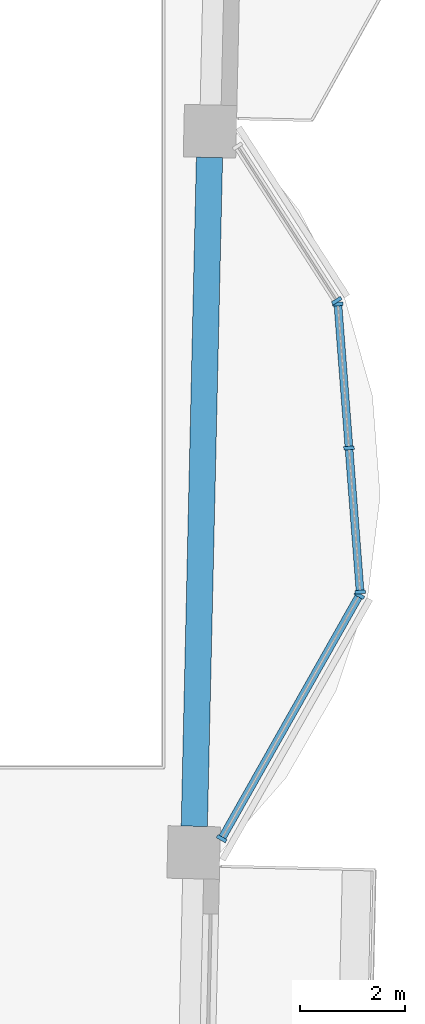
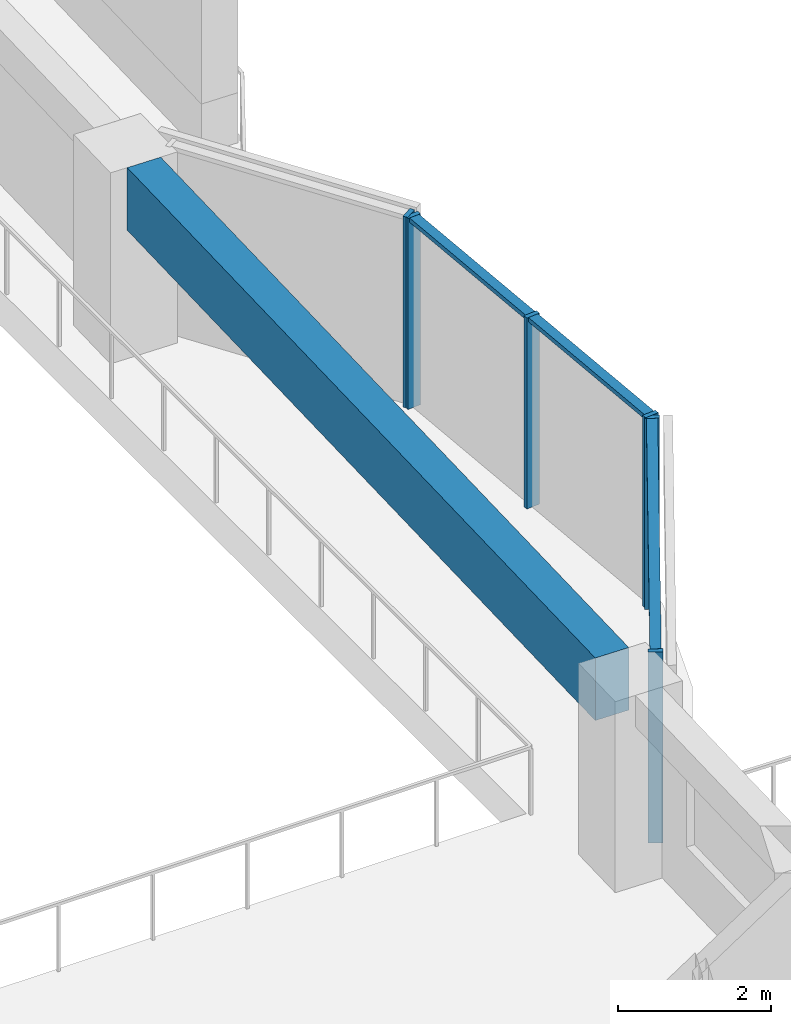
# One storey, part 2 of 17: 9 members, 1 beam, 3 elements without a shape of their own.
"""IFC4 building model written with IfcOpenShell, lengths in metres."""

from ifc_helpers import new_model, si_unit, direction, frame, origin, origin_2d, place, context, subcontext, project, spatial, rectangle, extrude, material, material_profile, profile_set, type_object, element, aggregate, save


model = new_model("IFC4")

# Units and contexts
model_context = context("Model", 3, precision=1e-05, world=origin(), true_north=direction((0.0, 1.0)))
body_context = subcontext(model_context, "Body", "Model", "MODEL_VIEW")
ifc_project = project(units=[si_unit("LENGTHUNIT", "METRE"), si_unit("AREAUNIT", "SQUARE_METRE"), si_unit("VOLUMEUNIT", "CUBIC_METRE"), si_unit("PLANEANGLEUNIT", "RADIAN"), si_unit("MASSUNIT", "GRAM", prefix="KILO")], contexts=[model_context])

# Site, building, storey
site_placement = place(None, origin())
site = spatial("IfcSite", under=ifc_project, at=site_placement, CompositionType="ELEMENT")
building_placement = place(site_placement, origin())
building = spatial("IfcBuilding", under=site, at=building_placement, Name="Mangrove Gate Tower", CompositionType="ELEMENT")
storey_placement = place(building_placement, frame((0.0, 0.0, 260.89990234375)))
storey = spatial("IfcBuildingStorey", under=building, at=storey_placement, Name="L66", CompositionType="ELEMENT", Elevation=260.89990234375)

# Curtain wall, members
ifc_material_1 = material(Name="Aluminium and glass curtain wall", Category="aluminium")
curtain_wall_type = type_object("IfcCurtainWallType", Name="Atrium garden-court glazing wall", PredefinedType="NOTDEFINED", material=ifc_material_1)
curtain_wall_1_placement = place(storey_placement, origin())
curtain_wall_1 = element("IfcCurtainWall", 1, at=curtain_wall_1_placement, inside=storey, type_object=curtain_wall_type, Name="Atrium garden-court glazing E1f1", PredefinedType="NOTDEFINED")
ifc_material_2 = material(Name="Aluminium alloy 6063-T6", Category="aluminium")
ifc_material_profile_1 = material_profile(ifc_material_2, rectangle(XDim=0.070068359375, YDim=0.199951171875, at=origin_2d()))
ifc_profile_set_1 = profile_set([ifc_material_profile_1], Name="Aluminium alloy 6063-T6")
member_type_1 = type_object("IfcMemberType", Name="Atrium garden-court glazing mullion 70x200", PredefinedType="MULLION", material=ifc_profile_set_1)
member_1_placement = place(storey_placement, frame((29.805908203125, -8.890869140625, 0.0), z_axis=(0.0, 0.0, 1.0), x_axis=(0.492567972087, 0.870273975754, 0.0)))
member_1 = element("IfcMember", 2, at=member_1_placement, type_object=member_type_1, Name="CWA mullion 1", PredefinedType="MULLION", context=body_context, shape_type="SweptSolid", body=[
    extrude(rectangle(XDim=0.070068359375, YDim=0.199951171875, at=origin_2d()), origin(), (0.0, 0.0, 1.0), 3.050048828125),
])
member_2_placement = place(storey_placement, frame((32.429931640625, -4.25439453125, 0.0), z_axis=(0.0, 0.0, 1.0), x_axis=(0.492567972087, 0.870273975754, 0.0)))
member_2 = element("IfcMember", 3, at=member_2_placement, type_object=member_type_1, Name="CWA mullion 2", PredefinedType="MULLION", context=body_context, shape_type="SweptSolid", body=[
    extrude(rectangle(XDim=0.070068359375, YDim=0.199951171875, at=origin_2d()), origin(), (0.0, 0.0, 1.0), 3.050048828125),
])

curtain_wall_2_placement = place(storey_placement, origin())
curtain_wall_2 = element("IfcCurtainWall", 4, at=curtain_wall_2_placement, inside=storey, type_object=curtain_wall_type, Name="Atrium garden-court glazing E1f2", PredefinedType="NOTDEFINED")
member_3_placement = place(storey_placement, frame((32.444580078125, -4.18896484375, 0.0), z_axis=(0.0, 0.0, 1.0), x_axis=(-0.077023348403, 0.997029289339, 0.0)))
member_3 = element("IfcMember", 5, at=member_3_placement, type_object=member_type_1, Name="CWA mullion 1", PredefinedType="MULLION", context=body_context, shape_type="SweptSolid", body=[
    extrude(rectangle(XDim=0.070068359375, YDim=0.199951171875, at=origin_2d()), origin(), (0.0, 0.0, 1.0), 3.050048828125),
])
member_4_placement = place(storey_placement, frame((32.232666015625, -1.4453125, 0.0), z_axis=(0.0, 0.0, 1.0), x_axis=(-0.077023348403, 0.997029289339, 0.0)))
member_4 = element("IfcMember", 6, at=member_4_placement, type_object=member_type_1, Name="CWA mullion 2", PredefinedType="MULLION", context=body_context, shape_type="SweptSolid", body=[
    extrude(rectangle(XDim=0.070068359375, YDim=0.199951171875, at=origin_2d()), origin(), (0.0, 0.0, 1.0), 3.050048828125),
])
member_5_placement = place(storey_placement, frame((32.020751953125, 1.298095703125, 0.0), z_axis=(0.0, 0.0, 1.0), x_axis=(-0.077023348403, 0.997029289339, 0.0)))
member_5 = element("IfcMember", 7, at=member_5_placement, type_object=member_type_1, Name="CWA mullion 3", PredefinedType="MULLION", context=body_context, shape_type="SweptSolid", body=[
    extrude(rectangle(XDim=0.070068359375, YDim=0.199951171875, at=origin_2d()), origin(), (0.0, 0.0, 1.0), 3.050048828125),
])

# Curtain wall, member
curtain_wall_3_placement = place(storey_placement, origin())
curtain_wall_3 = element("IfcCurtainWall", 8, at=curtain_wall_3_placement, inside=storey, type_object=curtain_wall_type, Name="Atrium garden-court glazing E1f3", PredefinedType="NOTDEFINED")
member_6_placement = place(storey_placement, frame((31.9990234375, 1.362548828125, 0.0), z_axis=(0.0, 0.0, 1.0), x_axis=(-0.540498107045, 0.841345230141, 0.0)))
member_6 = element("IfcMember", 9, at=member_6_placement, type_object=member_type_1, Name="CWA mullion 1", PredefinedType="MULLION", context=body_context, shape_type="SweptSolid", body=[
    extrude(rectangle(XDim=0.070068359375, YDim=0.199951171875, at=origin_2d()), origin(), (0.0, 0.0, 1.0), 3.050048828125),
])
aggregate(curtain_wall_3, [member_6])

# Member
ifc_material_3 = material(Name="Aluminium alloy 6063-T6", Category="aluminium")
ifc_material_profile_2 = material_profile(ifc_material_3, rectangle(XDim=0.070068359375, YDim=0.14990234375, at=origin_2d()))
ifc_profile_set_2 = profile_set([ifc_material_profile_2], Name="Aluminium alloy 6063-T6")
member_type_2 = type_object("IfcMemberType", Name="Atrium garden-court glazing transom 70x150", PredefinedType="USERDEFINED", material=ifc_profile_set_2)
member_7_placement = place(storey_placement, frame((29.822998046875, -8.8603515625, 3.01513671875), z_axis=(0.492594238536, 0.870259108635, 0.0), x_axis=(0.0, 0.0, 1.0)))
member_7 = element("IfcMember", 10, at=member_7_placement, type_object=member_type_2, Name="CWA transom 1.2", ObjectType="TRANSOM", PredefinedType="USERDEFINED", context=body_context, shape_type="SweptSolid", body=[
    extrude(rectangle(XDim=0.070068359375, YDim=0.14990234375, at=origin_2d()), origin(), (0.0, 0.0, 1.0), 5.257568359375),
])

aggregate(curtain_wall_1, [member_1, member_2, member_7])

member_8_placement = place(storey_placement, frame((32.44189453125, -4.154052734375, 3.01513671875), z_axis=(-0.07701672858, 0.997029800718, 0.0), x_axis=(0.0, 0.0, 1.0)))
member_8 = element("IfcMember", 11, at=member_8_placement, type_object=member_type_2, Name="CWA transom 1.2", ObjectType="TRANSOM", PredefinedType="USERDEFINED", context=body_context, shape_type="SweptSolid", body=[
    extrude(rectangle(XDim=0.070068359375, YDim=0.14990234375, at=origin_2d()), origin(), (0.0, 0.0, 1.0), 2.681884765625),
])

member_9_placement = place(storey_placement, frame((32.22998046875, -1.41064453125, 3.01513671875), z_axis=(-0.07701672858, 0.997029800718, 0.0), x_axis=(0.0, 0.0, 1.0)))
member_9 = element("IfcMember", 12, at=member_9_placement, type_object=member_type_2, Name="CWA transom 2.2", ObjectType="TRANSOM", PredefinedType="USERDEFINED", context=body_context, shape_type="SweptSolid", body=[
    extrude(rectangle(XDim=0.070068359375, YDim=0.14990234375, at=origin_2d()), origin(), (0.0, 0.0, 1.0), 2.681884765625),
])

aggregate(curtain_wall_2, [member_3, member_4, member_5, member_8, member_9])

# Beam
ifc_material_4 = material(Name="Concrete C50/60", Category="concrete")
ifc_material_profile_3 = material_profile(ifc_material_4, rectangle(XDim=0.5, YDim=1.0, at=origin_2d()))
ifc_profile_set_3 = profile_set([ifc_material_profile_3], Name="Concrete C50/60")
beam_type = type_object("IfcBeamType", Name="Edge beam RC 500x1000 C50/60", PredefinedType="BEAM", material=ifc_profile_set_3)
beam_placement = place(storey_placement, frame((29.284423828125, -8.65478515625, 2.550048828125), z_axis=(0.022689654485, 0.999742556651, 0.0), x_axis=(-0.999742556651, 0.022689654485, 0.0)))
element("IfcBeam", 13, at=beam_placement, inside=storey, type_object=beam_type, Name="Edge beam L66 15", PredefinedType="BEAM", context=body_context, shape_type="SweptSolid", body=[
    extrude(rectangle(XDim=0.5, YDim=1.0, at=origin_2d()), origin(), (0.0, 0.0, 1.0), 12.75048828125),
])

save(model, "model.ifc")
